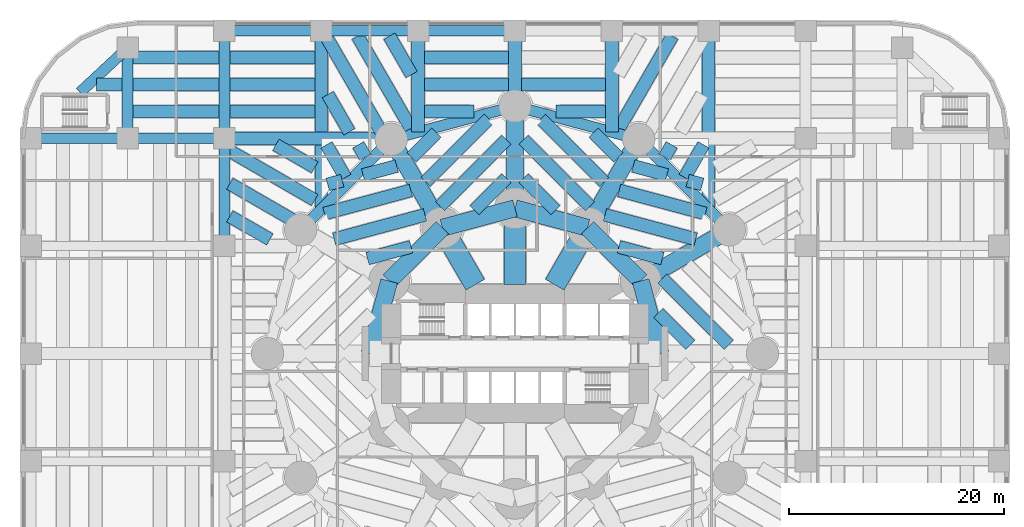
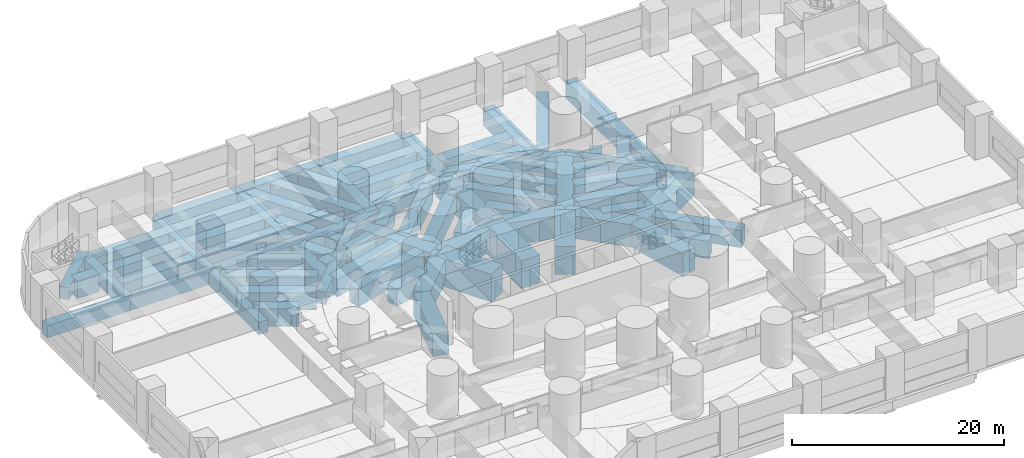
# One storey, part 3 of 17: 77 beams.
"""IFC4 building model written with IfcOpenShell, lengths in metres."""

from ifc_helpers import new_model, si_unit, direction, frame, origin, origin_2d, place, context, subcontext, project, spatial, rectangle, extrude, material, material_profile, profile_set, type_object, element, save


model = new_model("IFC4")

# Units and contexts
model_context = context("Model", 3, precision=1e-05, world=origin(), true_north=direction((0.0, 1.0)))
body_context = subcontext(model_context, "Body", "Model", "MODEL_VIEW")
ifc_project = project(units=[si_unit("LENGTHUNIT", "METRE"), si_unit("AREAUNIT", "SQUARE_METRE"), si_unit("VOLUMEUNIT", "CUBIC_METRE"), si_unit("PLANEANGLEUNIT", "RADIAN"), si_unit("MASSUNIT", "GRAM", prefix="KILO")], contexts=[model_context])

# Site, building, storey
site_placement = place(None, origin())
site = spatial("IfcSite", under=ifc_project, at=site_placement, CompositionType="ELEMENT")
building_placement = place(site_placement, origin())
building = spatial("IfcBuilding", under=site, at=building_placement, Name="Qaws Media Tower", CompositionType="ELEMENT")
storey_placement = place(building_placement, frame((0.0, 0.0, 15.0)))
storey = spatial("IfcBuildingStorey", under=building, at=storey_placement, Name="L02", CompositionType="ELEMENT", Elevation=15.0)

# Beams
ifc_material_1 = material(Name="Concrete C60/75", Category="concrete")
ifc_material_profile_1 = material_profile(ifc_material_1, rectangle(XDim=2.0, YDim=3.199951171875, at=origin_2d()), Name="RC 2000x3200")
ifc_profile_set_1 = profile_set([ifc_material_profile_1], Name="Concrete C60/75")
beam_type_1 = type_object("IfcBeamType", Name="Podium core beam RC 2000x3200", PredefinedType="BEAM", material=ifc_profile_set_1)
beam_1_placement = place(storey_placement, frame((63.695068359375, 56.39990234375, -1.89990234375), z_axis=(0.49998532359, 0.866033877048, 0.0), x_axis=(-0.866033877048, 0.49998532359, 0.0)))
element("IfcBeam", 1, at=beam_1_placement, inside=storey, type_object=beam_type_1, Name="PB14 beam CORE-I03", PredefinedType="BEAM", context=body_context, shape_type="SweptSolid", body=[
    extrude(rectangle(XDim=2.0, YDim=3.199951171875, at=origin_2d()), origin(), (0.0, 0.0, 1.0), 6.110107421875),
])
beam_2_placement = place(storey_placement, frame((60.0, 56.39990234375, -1.89990234375), z_axis=(0.0, 1.0, 0.0), x_axis=(-1.0, 0.0, 0.0)))
element("IfcBeam", 2, at=beam_2_placement, inside=storey, type_object=beam_type_1, Name="PB14 beam CORE-I04", PredefinedType="BEAM", context=body_context, shape_type="SweptSolid", body=[
    extrude(rectangle(XDim=2.0, YDim=3.199951171875, at=origin_2d()), origin(), (0.0, 0.0, 1.0), 7.10009765625),
])
beam_3_placement = place(storey_placement, frame((56.304931640625, 56.39990234375, -1.89990234375), z_axis=(-0.49998532359, 0.866033877048, 0.0), x_axis=(-0.866033877048, -0.49998532359, 0.0)))
element("IfcBeam", 3, at=beam_3_placement, inside=storey, type_object=beam_type_1, Name="PB14 beam CORE-I05", PredefinedType="BEAM", context=body_context, shape_type="SweptSolid", body=[
    extrude(rectangle(XDim=2.0, YDim=3.199951171875, at=origin_2d()), origin(), (0.0, 0.0, 1.0), 6.110107421875),
])
ifc_material_2 = material(Name="Concrete C60/75", Category="concrete")
ifc_material_profile_2 = material_profile(ifc_material_2, rectangle(XDim=1.0, YDim=1.39990234375, at=origin_2d()), Name="RC 1000x1400")
ifc_profile_set_2 = profile_set([ifc_material_profile_2], Name="Concrete C60/75")
beam_type_2 = type_object("IfcBeamType", Name="Podium edge beam RC 1000x1400", PredefinedType="BEAM", material=ifc_profile_set_2)
for number, where, z_axis, x_axis, name in (
    (4, (79.918701171875, 61.5, -1.0), (-0.707106781187, 0.707106781187, 0.0), (-0.707106781187, -0.707106781187, 0.0), "PB3 beam M02-M03"),
    (5, (71.5, 69.918701171875, -1.0), (-0.965928280645, 0.258809885148, 0.0), (-0.258809885148, -0.965928280645, 0.0), "PB3 beam M03-M04"),
    (6, (60.0, 73.0, -1.0), (-0.965928280645, -0.258809885148, 0.0), (0.258809885148, -0.965928280645, 0.0), "PB3 beam M04-M05"),
    (7, (48.5, 69.918701171875, -1.0), (-0.707106781187, -0.707106781187, 0.0), (0.707106781187, -0.707106781187, 0.0), "PB3 beam M05-M06"),
):
    element("IfcBeam", number, at=place(storey_placement, frame(where, z_axis=z_axis, x_axis=x_axis)), inside=storey, type_object=beam_type_2, Name=name, PredefinedType="BEAM", context=body_context, shape_type="SweptSolid", body=[
        extrude(rectangle(XDim=1.0, YDim=1.39990234375, at=origin_2d()), origin(), (0.0, 0.0, 1.0), 11.90576171875),
    ])
ifc_material_3 = material(Name="Concrete C60/75", Category="concrete")
ifc_material_profile_3 = material_profile(ifc_material_3, rectangle(XDim=1.0, YDim=1.39990234375, at=origin_2d()), Name="RC 1000x1400")
ifc_profile_set_3 = profile_set([ifc_material_profile_3], Name="Concrete C60/75")
beam_type_3 = type_object("IfcBeamType", Name="Podium girder RC 1000x1400", PredefinedType="BEAM", material=ifc_profile_set_3)
for number, where, z_axis, x_axis, name in (
    (8, (15.0, 70.0, -1.0), (1.0, 0.0, 0.0), (0.0, 1.0, 0.0), "PB5 beam 1-2/F"),
    (9, (24.0, 70.0, -1.0), (1.0, 0.0, 0.0), (0.0, 1.0, 0.0), "PB5 beam 2-3/F"),
    (10, (33.0, 80.0, -1.0), (1.0, 0.0, 0.0), (0.0, 1.0, 0.0), "PB5 beam 3-4/G"),
    (11, (42.0, 80.0, -1.0), (1.0, 0.0, 0.0), (0.0, 1.0, 0.0), "PB5 beam 4-5/G"),
    (12, (51.0, 80.0, -1.0), (1.0, 0.0, 0.0), (0.0, 1.0, 0.0), "PB5 beam 5-6/G"),
):
    element("IfcBeam", number, at=place(storey_placement, frame(where, z_axis=z_axis, x_axis=x_axis)), inside=storey, type_object=beam_type_3, Name=name, PredefinedType="BEAM", context=body_context, shape_type="SweptSolid", body=[
        extrude(rectangle(XDim=1.0, YDim=1.39990234375, at=origin_2d()), origin(), (0.0, 0.0, 1.0), 9.0),
    ])
beam_4_placement = place(storey_placement, frame((24.0, 70.0, -1.0), z_axis=(0.0, 1.0, 0.0), x_axis=(-1.0, 0.0, 0.0)))
element("IfcBeam", 13, at=beam_4_placement, inside=storey, type_object=beam_type_3, Name="PB5 beam 2/F-G", PredefinedType="BEAM", context=body_context, shape_type="SweptSolid", body=[
    extrude(rectangle(XDim=1.0, YDim=1.39990234375, at=origin_2d()), origin(), (0.0, 0.0, 1.0), 8.39990234375),
])
for number, where, z_axis, x_axis, name in (
    (14, (33.0, 60.0, -1.0), (0.0, 1.0, 0.0), (-1.0, 0.0, 0.0), "PB5 beam 3/E-F"),
    (15, (33.0, 70.0, -1.0), (0.0, 1.0, 0.0), (-1.0, 0.0, 0.0), "PB5 beam 3/F-G"),
):
    element("IfcBeam", number, at=place(storey_placement, frame(where, z_axis=z_axis, x_axis=x_axis)), inside=storey, type_object=beam_type_3, Name=name, PredefinedType="BEAM", context=body_context, shape_type="SweptSolid", body=[
        extrude(rectangle(XDim=1.0, YDim=1.39990234375, at=origin_2d()), origin(), (0.0, 0.0, 1.0), 10.0),
    ])
beam_5_placement = place(storey_placement, frame((19.5732421875, 74.268310546875, -1.0), z_axis=(0.731059290527, 0.682313940745, 0.0), x_axis=(-0.682313940745, 0.731059290527, 0.0)))
element("IfcBeam", 16, at=beam_5_placement, inside=storey, type_object=beam_type_3, Name="PB5 beam S3-2/G", PredefinedType="BEAM", context=body_context, shape_type="SweptSolid", body=[
    extrude(rectangle(XDim=1.0, YDim=1.39990234375, at=origin_2d()), origin(), (0.0, 0.0, 1.0), 6.05517578125),
])
ifc_material_4 = material(Name="Concrete C60/75", Category="concrete")
ifc_material_profile_4 = material_profile(ifc_material_4, rectangle(XDim=1.199951171875, YDim=2.0, at=origin_2d()), Name="RC 1200x2000")
ifc_profile_set_4 = profile_set([ifc_material_profile_4], Name="Concrete C60/75")
beam_type_4 = type_object("IfcBeamType", Name="Podium long trimmer beam RC 1200x2000", PredefinedType="BEAM", material=ifc_profile_set_4)
beam_6_placement = place(storey_placement, frame((33.0, 70.0, -1.300048828125), z_axis=(1.0, 0.0, 0.0), x_axis=(0.0, 1.0, 0.0)))
element("IfcBeam", 17, at=beam_6_placement, inside=storey, type_object=beam_type_4, Name="PB11 beam 3/F to the tower ring", PredefinedType="BEAM", context=body_context, shape_type="SweptSolid", body=[
    extrude(rectangle(XDim=1.199951171875, YDim=2.0, at=origin_2d()), origin(), (0.0, 0.0, 1.0), 15.803955078125),
])
for number, where, z_axis, x_axis, name in (
    (18, (42.0, 80.0, -1.300048828125), (0.0, -1.0, 0.0), (1.0, 0.0, 0.0), "PB11 beam 4/G to the tower ring"),
    (19, (78.0, 80.0, -1.300048828125), (0.0, -1.0, 0.0), (1.0, 0.0, 0.0), "PB11 beam 8/G to the tower ring"),
):
    element("IfcBeam", number, at=place(storey_placement, frame(where, z_axis=z_axis, x_axis=x_axis)), inside=storey, type_object=beam_type_4, Name=name, PredefinedType="BEAM", context=body_context, shape_type="SweptSolid", body=[
        extrude(rectangle(XDim=1.199951171875, YDim=2.0, at=origin_2d()), origin(), (0.0, 0.0, 1.0), 16.581298828125),
    ])
ifc_material_5 = material(Name="Concrete C60/75", Category="concrete")
ifc_material_profile_5 = material_profile(ifc_material_5, rectangle(XDim=1.199951171875, YDim=2.0, at=origin_2d()), Name="RC 1200x2000")
ifc_profile_set_5 = profile_set([ifc_material_profile_5], Name="Concrete C60/75")
beam_type_5 = type_object("IfcBeamType", Name="Podium secondary beam RC 1200x2000", PredefinedType="BEAM", material=ifc_profile_set_5)
beam_7_placement = place(storey_placement, frame((21.08984375, 75.0, -1.300048828125), z_axis=(1.0, 0.0, 0.0), x_axis=(0.0, 1.0, 0.0)))
element("IfcBeam", 20, at=beam_7_placement, inside=storey, type_object=beam_type_5, Name="PB7 beam bay 1F line 1", PredefinedType="BEAM", context=body_context, shape_type="SweptSolid", body=[
    extrude(rectangle(XDim=1.199951171875, YDim=2.0, at=origin_2d()), origin(), (0.0, 0.0, 1.0), 2.41015625),
])
for number, where, z_axis, x_axis, name in (
    (21, (24.5, 72.5, -1.300048828125), (1.0, 0.0, 0.0), (0.0, 1.0, 0.0), "PB7 beam bay 2F line 1"),
    (22, (24.5, 75.0, -1.300048828125), (1.0, 0.0, 0.0), (0.0, 1.0, 0.0), "PB7 beam bay 2F line 2"),
    (23, (24.5, 77.5, -1.300048828125), (1.0, 0.0, 0.0), (0.0, 1.0, 0.0), "PB7 beam bay 2F line 3"),
):
    element("IfcBeam", number, at=place(storey_placement, frame(where, z_axis=z_axis, x_axis=x_axis)), inside=storey, type_object=beam_type_5, Name=name, PredefinedType="BEAM", context=body_context, shape_type="SweptSolid", body=[
        extrude(rectangle(XDim=1.199951171875, YDim=2.0, at=origin_2d()), origin(), (0.0, 0.0, 1.0), 8.0),
    ])
beam_8_placement = place(storey_placement, frame((41.39990234375, 67.30712890625, -1.300048828125), z_axis=(-0.866023369196, 0.500003523994, 0.0), x_axis=(-0.500003523994, -0.866023369196, 0.0)))
element("IfcBeam", 24, at=beam_8_placement, inside=storey, type_object=beam_type_5, Name="PB7 beam bay 3E line 1", PredefinedType="BEAM", context=body_context, shape_type="SweptSolid", body=[
    extrude(rectangle(XDim=1.199951171875, YDim=2.0, at=origin_2d()), origin(), (0.0, 0.0, 1.0), 4.185546875),
])
beam_9_placement = place(storey_placement, frame((41.39990234375, 64.26806640625, -1.300048828125), z_axis=(-0.866024244995, 0.500002007077, 0.0), x_axis=(-0.500002007077, -0.866024244995, 0.0)))
element("IfcBeam", 25, at=beam_9_placement, inside=storey, type_object=beam_type_5, Name="PB7 beam bay 3E line 2", PredefinedType="BEAM", context=body_context, shape_type="SweptSolid", body=[
    extrude(rectangle(XDim=1.199951171875, YDim=2.0, at=origin_2d()), origin(), (0.0, 0.0, 1.0), 9.1220703125),
])
beam_10_placement = place(storey_placement, frame((39.94384765625, 62.069580078125, -1.300048828125), z_axis=(-0.866033686948, 0.499985652865, 0.0), x_axis=(-0.499985652865, -0.866033686948, 0.0)))
element("IfcBeam", 26, at=beam_10_placement, inside=storey, type_object=beam_type_5, Name="PB7 beam bay 3E line 3", PredefinedType="BEAM", context=body_context, shape_type="SweptSolid", body=[
    extrude(rectangle(XDim=1.199951171875, YDim=2.0, at=origin_2d()), origin(), (0.0, 0.0, 1.0), 7.440673828125),
])
beam_11_placement = place(storey_placement, frame((37.224853515625, 60.60009765625, -1.300048828125), z_axis=(-0.866040963478, 0.499973048851, 0.0), x_axis=(-0.499973048851, -0.866040963478, 0.0)))
element("IfcBeam", 27, at=beam_11_placement, inside=storey, type_object=beam_type_5, Name="PB7 beam bay 3E line 4", PredefinedType="BEAM", context=body_context, shape_type="SweptSolid", body=[
    extrude(rectangle(XDim=1.199951171875, YDim=2.0, at=origin_2d()), origin(), (0.0, 0.0, 1.0), 4.301025390625),
])
for number, where, z_axis, x_axis, name in (
    (28, (33.5, 72.5, -1.300048828125), (1.0, 0.0, 0.0), (0.0, 1.0, 0.0), "PB7 beam bay 3F line 1"),
    (29, (33.5, 75.0, -1.300048828125), (1.0, 0.0, 0.0), (0.0, 1.0, 0.0), "PB7 beam bay 3F line 2"),
    (30, (33.5, 77.5, -1.300048828125), (1.0, 0.0, 0.0), (0.0, 1.0, 0.0), "PB7 beam bay 3F line 3"),
):
    element("IfcBeam", number, at=place(storey_placement, frame(where, z_axis=z_axis, x_axis=x_axis)), inside=storey, type_object=beam_type_5, Name=name, PredefinedType="BEAM", context=body_context, shape_type="SweptSolid", body=[
        extrude(rectangle(XDim=1.199951171875, YDim=2.0, at=origin_2d()), origin(), (0.0, 0.0, 1.0), 7.89990234375),
    ])
beam_12_placement = place(storey_placement, frame((46.109619140625, 68.235107421875, -1.300048828125), z_axis=(-0.500062873969, 0.865989100438, 0.0), x_axis=(-0.865989100438, -0.500062873969, 0.0)))
element("IfcBeam", 31, at=beam_12_placement, inside=storey, type_object=beam_type_5, Name="PB7 beam bay 4E line 1", PredefinedType="BEAM", context=body_context, shape_type="SweptSolid", body=[
    extrude(rectangle(XDim=1.199951171875, YDim=2.0, at=origin_2d()), origin(), (0.0, 0.0, 1.0), 1.344970703125),
])
beam_13_placement = place(storey_placement, frame((44.236328125, 66.362060546875, -1.300048828125), z_axis=(-0.500001597329, 0.866024481564, 0.0), x_axis=(-0.866024481564, -0.500001597329, 0.0)))
element("IfcBeam", 32, at=beam_13_placement, inside=storey, type_object=beam_type_5, Name="PB7 beam bay 4E line 2", PredefinedType="BEAM", context=body_context, shape_type="SweptSolid", body=[
    extrude(rectangle(XDim=1.199951171875, YDim=2.0, at=origin_2d()), origin(), (0.0, 0.0, 1.0), 3.5078125),
])
beam_14_placement = place(storey_placement, frame((50.39990234375, 75.921630859375, -1.300048828125), z_axis=(-0.499990122378, 0.866031106557, 0.0), x_axis=(-0.866031106557, -0.499990122378, 0.0)))
element("IfcBeam", 33, at=beam_14_placement, inside=storey, type_object=beam_type_5, Name="PB7 beam bay 4F line 1", PredefinedType="BEAM", context=body_context, shape_type="SweptSolid", body=[
    extrude(rectangle(XDim=1.199951171875, YDim=2.0, at=origin_2d()), origin(), (0.0, 0.0, 1.0), 4.1318359375),
])
beam_15_placement = place(storey_placement, frame((50.329345703125, 70.92626953125, -1.300048828125), z_axis=(-0.499992846816, 0.866029533637, 0.0), x_axis=(-0.866029533637, -0.499992846816, 0.0)))
element("IfcBeam", 34, at=beam_15_placement, inside=storey, type_object=beam_type_5, Name="PB7 beam bay 4F line 2", PredefinedType="BEAM", context=body_context, shape_type="SweptSolid", body=[
    extrude(rectangle(XDim=1.199951171875, YDim=2.0, at=origin_2d()), origin(), (0.0, 0.0, 1.0), 9.900146484375),
])
beam_16_placement = place(storey_placement, frame((47.56298828125, 70.60009765625, -1.300048828125), z_axis=(-0.500004869266, 0.866022592494, 0.0), x_axis=(-0.866022592494, -0.500004869266, 0.0)))
element("IfcBeam", 35, at=beam_16_placement, inside=storey, type_object=beam_type_5, Name="PB7 beam bay 4F line 3", PredefinedType="BEAM", context=body_context, shape_type="SweptSolid", body=[
    extrude(rectangle(XDim=1.199951171875, YDim=2.0, at=origin_2d()), origin(), (0.0, 0.0, 1.0), 10.27685546875),
])
beam_17_placement = place(storey_placement, frame((44.6083984375, 70.60009765625, -1.300048828125), z_axis=(-0.500022371132, 0.86601248742, 0.0), x_axis=(-0.86601248742, -0.500022371132, 0.0)))
element("IfcBeam", 36, at=beam_17_placement, inside=storey, type_object=beam_type_5, Name="PB7 beam bay 4F line 4", PredefinedType="BEAM", context=body_context, shape_type="SweptSolid", body=[
    extrude(rectangle(XDim=1.199951171875, YDim=2.0, at=origin_2d()), origin(), (0.0, 0.0, 1.0), 4.016357421875),
])
beam_18_placement = place(storey_placement, frame((51.60009765625, 72.5, -1.300048828125), z_axis=(1.0, 0.0, 0.0), x_axis=(0.0, 1.0, 0.0)))
element("IfcBeam", 37, at=beam_18_placement, inside=storey, type_object=beam_type_5, Name="PB7 beam bay 5F line 1", PredefinedType="BEAM", context=body_context, shape_type="SweptSolid", body=[
    extrude(rectangle(XDim=1.199951171875, YDim=2.0, at=origin_2d()), origin(), (0.0, 0.0, 1.0), 4.60205078125),
])
for number, where, z_axis, x_axis, name in (
    (38, (51.60009765625, 75.0, -1.300048828125), (1.0, 0.0, 0.0), (0.0, 1.0, 0.0), "PB7 beam bay 5F line 2"),
    (39, (51.60009765625, 77.5, -1.300048828125), (1.0, 0.0, 0.0), (0.0, 1.0, 0.0), "PB7 beam bay 5F line 3"),
):
    element("IfcBeam", number, at=place(storey_placement, frame(where, z_axis=z_axis, x_axis=x_axis)), inside=storey, type_object=beam_type_5, Name=name, PredefinedType="BEAM", context=body_context, shape_type="SweptSolid", body=[
        extrude(rectangle(XDim=1.199951171875, YDim=2.0, at=origin_2d()), origin(), (0.0, 0.0, 1.0), 7.7998046875),
    ])
beam_19_placement = place(storey_placement, frame((63.7978515625, 72.5, -1.300048828125), z_axis=(1.0, 0.0, 0.0), x_axis=(0.0, 1.0, 0.0)))
element("IfcBeam", 40, at=beam_19_placement, inside=storey, type_object=beam_type_5, Name="PB7 beam bay 6F line 1", PredefinedType="BEAM", context=body_context, shape_type="SweptSolid", body=[
    extrude(rectangle(XDim=1.199951171875, YDim=2.0, at=origin_2d()), origin(), (0.0, 0.0, 1.0), 4.60205078125),
])
beam_20_placement = place(storey_placement, frame((60.60009765625, 75.0, -1.300048828125), z_axis=(1.0, 0.0, 0.0), x_axis=(0.0, 1.0, 0.0)))
element("IfcBeam", 41, at=beam_20_placement, inside=storey, type_object=beam_type_5, Name="PB7 beam bay 6F line 2", PredefinedType="BEAM", context=body_context, shape_type="SweptSolid", body=[
    extrude(rectangle(XDim=1.199951171875, YDim=2.0, at=origin_2d()), origin(), (0.0, 0.0, 1.0), 7.7998046875),
])
beam_21_placement = place(storey_placement, frame((75.763671875, 66.362060546875, -1.300048828125), z_axis=(0.500001597329, 0.866024481564, 0.0), x_axis=(-0.866024481564, 0.500001597329, 0.0)))
element("IfcBeam", 42, at=beam_21_placement, inside=storey, type_object=beam_type_5, Name="PB7 beam bay 7E line 1", PredefinedType="BEAM", context=body_context, shape_type="SweptSolid", body=[
    extrude(rectangle(XDim=1.199951171875, YDim=2.0, at=origin_2d()), origin(), (0.0, 0.0, 1.0), 3.5078125),
])
beam_22_placement = place(storey_placement, frame((73.890380859375, 68.235107421875, -1.300048828125), z_axis=(0.500062873969, 0.865989100438, 0.0), x_axis=(-0.865989100438, 0.500062873969, 0.0)))
element("IfcBeam", 43, at=beam_22_placement, inside=storey, type_object=beam_type_5, Name="PB7 beam bay 7E line 2", PredefinedType="BEAM", context=body_context, shape_type="SweptSolid", body=[
    extrude(rectangle(XDim=1.199951171875, YDim=2.0, at=origin_2d()), origin(), (0.0, 0.0, 1.0), 1.344970703125),
])
beam_23_placement = place(storey_placement, frame((69.670654296875, 70.92626953125, -1.300048828125), z_axis=(0.499992846816, 0.866029533637, 0.0), x_axis=(-0.866029533637, 0.499992846816, 0.0)))
element("IfcBeam", 44, at=beam_23_placement, inside=storey, type_object=beam_type_5, Name="PB7 beam bay 7F line 3", PredefinedType="BEAM", context=body_context, shape_type="SweptSolid", body=[
    extrude(rectangle(XDim=1.199951171875, YDim=2.0, at=origin_2d()), origin(), (0.0, 0.0, 1.0), 9.900146484375),
])
beam_24_placement = place(storey_placement, frame((79.867431640625, 50.800048828125, -1.300048828125), z_axis=(-0.707106781187, 0.707106781187, 0.0), x_axis=(-0.707106781187, -0.707106781187, 0.0)))
element("IfcBeam", 45, at=beam_24_placement, inside=storey, type_object=beam_type_5, Name="PB7 beam bay T01 line 3", PredefinedType="BEAM", context=body_context, shape_type="SweptSolid", body=[
    extrude(rectangle(XDim=1.199951171875, YDim=2.0, at=origin_2d()), origin(), (0.0, 0.0, 1.0), 8.73876953125),
])
beam_25_placement = place(storey_placement, frame((76.28369140625, 50.800048828125, -1.300048828125), z_axis=(-0.707106781187, 0.707106781187, 0.0), x_axis=(-0.707106781187, -0.707106781187, 0.0)))
element("IfcBeam", 46, at=beam_25_placement, inside=storey, type_object=beam_type_5, Name="PB7 beam bay T01 line 4", PredefinedType="BEAM", context=body_context, shape_type="SweptSolid", body=[
    extrude(rectangle(XDim=1.199951171875, YDim=2.0, at=origin_2d()), origin(), (0.0, 0.0, 1.0), 4.19189453125),
])
beam_26_placement = place(storey_placement, frame((77.39990234375, 65.714111328125, -1.300048828125), z_axis=(-0.965927004363, 0.25881464843, 0.0), x_axis=(-0.25881464843, -0.965927004363, 0.0)))
element("IfcBeam", 47, at=beam_26_placement, inside=storey, type_object=beam_type_5, Name="PB7 beam bay T02 line 1", PredefinedType="BEAM", context=body_context, shape_type="SweptSolid", body=[
    extrude(rectangle(XDim=1.199951171875, YDim=2.0, at=origin_2d()), origin(), (0.0, 0.0, 1.0), 1.39794921875),
])
beam_27_placement = place(storey_placement, frame((74.11767578125, 66.59375, -1.300048828125), z_axis=(-0.965936615722, 0.258778775034, 0.0), x_axis=(-0.258778775034, -0.965936615722, 0.0)))
element("IfcBeam", 48, at=beam_27_placement, inside=storey, type_object=beam_type_5, Name="PB7 beam bay T02 line 2", PredefinedType="BEAM", context=body_context, shape_type="SweptSolid", body=[
    extrude(rectangle(XDim=1.199951171875, YDim=2.0, at=origin_2d()), origin(), (0.0, 0.0, 1.0), 3.23974609375),
])
beam_28_placement = place(storey_placement, frame((77.701416015625, 63.010009765625, -1.300048828125), z_axis=(-0.965929425695, 0.258805611564, 0.0), x_axis=(-0.258805611564, -0.965929425695, 0.0)))
element("IfcBeam", 49, at=beam_28_placement, inside=storey, type_object=beam_type_5, Name="PB7 beam bay T02 line 3", PredefinedType="BEAM", context=body_context, shape_type="SweptSolid", body=[
    extrude(rectangle(XDim=1.199951171875, YDim=2.0, at=origin_2d()), origin(), (0.0, 0.0, 1.0), 8.307861328125),
])
beam_29_placement = place(storey_placement, frame((76.8056640625, 60.62646484375, -1.300048828125), z_axis=(-0.965926352771, 0.258817080236, 0.0), x_axis=(-0.258817080236, -0.965926352771, 0.0)))
element("IfcBeam", 50, at=beam_29_placement, inside=storey, type_object=beam_type_5, Name="PB7 beam bay T02 line 4", PredefinedType="BEAM", context=body_context, shape_type="SweptSolid", body=[
    extrude(rectangle(XDim=1.199951171875, YDim=2.0, at=origin_2d()), origin(), (0.0, 0.0, 1.0), 8.73876953125),
])
beam_30_placement = place(storey_placement, frame((73.7021484375, 58.834716796875, -1.300048828125), z_axis=(-0.96592491418, 0.258822449118, 0.0), x_axis=(-0.258822449118, -0.96592491418, 0.0)))
element("IfcBeam", 51, at=beam_30_placement, inside=storey, type_object=beam_type_5, Name="PB7 beam bay T02 line 5", PredefinedType="BEAM", context=body_context, shape_type="SweptSolid", body=[
    extrude(rectangle(XDim=1.199951171875, YDim=2.0, at=origin_2d()), origin(), (0.0, 0.0, 1.0), 4.19189453125),
])
beam_31_placement = place(storey_placement, frame((69.6025390625, 68.232177734375, -1.300048828125), z_axis=(-0.707069101983, 0.707144458383, 0.0), x_axis=(-0.707144458383, -0.707069101983, 0.0)))
element("IfcBeam", 52, at=beam_31_placement, inside=storey, type_object=beam_type_5, Name="PB7 beam bay T03 line 1", PredefinedType="BEAM", context=body_context, shape_type="SweptSolid", body=[
    extrude(rectangle(XDim=1.199951171875, YDim=2.0, at=origin_2d()), origin(), (0.0, 0.0, 1.0), 3.23974609375),
])
beam_32_placement = place(storey_placement, frame((68.291015625, 65.960205078125, -1.300048828125), z_axis=(-0.707106781187, 0.707106781187, 0.0), x_axis=(-0.707106781187, -0.707106781187, 0.0)))
element("IfcBeam", 53, at=beam_32_placement, inside=storey, type_object=beam_type_5, Name="PB7 beam bay T03 line 2", PredefinedType="BEAM", context=body_context, shape_type="SweptSolid", body=[
    extrude(rectangle(XDim=1.199951171875, YDim=2.0, at=origin_2d()), origin(), (0.0, 0.0, 1.0), 8.30810546875),
])
beam_33_placement = place(storey_placement, frame((66.979248046875, 63.688232421875, -1.300048828125), z_axis=(-0.707106781187, 0.707106781187, 0.0), x_axis=(-0.707106781187, -0.707106781187, 0.0)))
element("IfcBeam", 54, at=beam_33_placement, inside=storey, type_object=beam_type_5, Name="PB7 beam bay T03 line 3", PredefinedType="BEAM", context=body_context, shape_type="SweptSolid", body=[
    extrude(rectangle(XDim=1.199951171875, YDim=2.0, at=origin_2d()), origin(), (0.0, 0.0, 1.0), 8.73876953125),
])
for number, where, z_axis, x_axis, name in (
    (55, (63.76416015625, 63.319580078125, -1.300048828125), (-0.707106781187, 0.707106781187, 0.0), (-0.707106781187, -0.707106781187, 0.0), "PB7 beam bay T03 line 4"),
    (56, (56.23583984375, 63.319580078125, -1.300048828125), (0.707106781187, 0.707106781187, 0.0), (-0.707106781187, 0.707106781187, 0.0), "PB7 beam bay T04 line 1"),
):
    element("IfcBeam", number, at=place(storey_placement, frame(where, z_axis=z_axis, x_axis=x_axis)), inside=storey, type_object=beam_type_5, Name=name, PredefinedType="BEAM", context=body_context, shape_type="SweptSolid", body=[
        extrude(rectangle(XDim=1.199951171875, YDim=2.0, at=origin_2d()), origin(), (0.0, 0.0, 1.0), 4.19189453125),
    ])
beam_34_placement = place(storey_placement, frame((53.020751953125, 63.688232421875, -1.300048828125), z_axis=(0.707106781187, 0.707106781187, 0.0), x_axis=(-0.707106781187, 0.707106781187, 0.0)))
element("IfcBeam", 57, at=beam_34_placement, inside=storey, type_object=beam_type_5, Name="PB7 beam bay T04 line 2", PredefinedType="BEAM", context=body_context, shape_type="SweptSolid", body=[
    extrude(rectangle(XDim=1.199951171875, YDim=2.0, at=origin_2d()), origin(), (0.0, 0.0, 1.0), 8.73876953125),
])
beam_35_placement = place(storey_placement, frame((51.708984375, 65.960205078125, -1.300048828125), z_axis=(0.707106781187, 0.707106781187, 0.0), x_axis=(-0.707106781187, 0.707106781187, 0.0)))
element("IfcBeam", 58, at=beam_35_placement, inside=storey, type_object=beam_type_5, Name="PB7 beam bay T04 line 3", PredefinedType="BEAM", context=body_context, shape_type="SweptSolid", body=[
    extrude(rectangle(XDim=1.199951171875, YDim=2.0, at=origin_2d()), origin(), (0.0, 0.0, 1.0), 8.30810546875),
])
beam_36_placement = place(storey_placement, frame((50.3974609375, 68.232177734375, -1.300048828125), z_axis=(0.707069101983, 0.707144458383, 0.0), x_axis=(-0.707144458383, 0.707069101983, 0.0)))
element("IfcBeam", 59, at=beam_36_placement, inside=storey, type_object=beam_type_5, Name="PB7 beam bay T04 line 4", PredefinedType="BEAM", context=body_context, shape_type="SweptSolid", body=[
    extrude(rectangle(XDim=1.199951171875, YDim=2.0, at=origin_2d()), origin(), (0.0, 0.0, 1.0), 3.23974609375),
])
beam_37_placement = place(storey_placement, frame((46.2978515625, 58.834716796875, -1.300048828125), z_axis=(0.96592491418, 0.258822449118, 0.0), x_axis=(-0.258822449118, 0.96592491418, 0.0)))
element("IfcBeam", 60, at=beam_37_placement, inside=storey, type_object=beam_type_5, Name="PB7 beam bay T05 line 1", PredefinedType="BEAM", context=body_context, shape_type="SweptSolid", body=[
    extrude(rectangle(XDim=1.199951171875, YDim=2.0, at=origin_2d()), origin(), (0.0, 0.0, 1.0), 4.19189453125),
])
beam_38_placement = place(storey_placement, frame((43.1943359375, 60.62646484375, -1.300048828125), z_axis=(0.965926352771, 0.258817080236, 0.0), x_axis=(-0.258817080236, 0.965926352771, 0.0)))
element("IfcBeam", 61, at=beam_38_placement, inside=storey, type_object=beam_type_5, Name="PB7 beam bay T05 line 2", PredefinedType="BEAM", context=body_context, shape_type="SweptSolid", body=[
    extrude(rectangle(XDim=1.199951171875, YDim=2.0, at=origin_2d()), origin(), (0.0, 0.0, 1.0), 8.73876953125),
])
beam_39_placement = place(storey_placement, frame((42.298583984375, 63.010009765625, -1.300048828125), z_axis=(0.965929425695, 0.258805611564, 0.0), x_axis=(-0.258805611564, 0.965929425695, 0.0)))
element("IfcBeam", 62, at=beam_39_placement, inside=storey, type_object=beam_type_5, Name="PB7 beam bay T05 line 3", PredefinedType="BEAM", context=body_context, shape_type="SweptSolid", body=[
    extrude(rectangle(XDim=1.199951171875, YDim=2.0, at=origin_2d()), origin(), (0.0, 0.0, 1.0), 8.307861328125),
])
beam_40_placement = place(storey_placement, frame((42.60009765625, 65.714111328125, -1.300048828125), z_axis=(0.965927004363, 0.25881464843, 0.0), x_axis=(-0.25881464843, 0.965927004363, 0.0)))
element("IfcBeam", 63, at=beam_40_placement, inside=storey, type_object=beam_type_5, Name="PB7 beam bay T05 line 4", PredefinedType="BEAM", context=body_context, shape_type="SweptSolid", body=[
    extrude(rectangle(XDim=1.199951171875, YDim=2.0, at=origin_2d()), origin(), (0.0, 0.0, 1.0), 1.39794921875),
])
beam_41_placement = place(storey_placement, frame((45.88232421875, 66.59375, -1.300048828125), z_axis=(0.965936615722, 0.258778775034, 0.0), x_axis=(-0.258778775034, 0.965936615722, 0.0)))
element("IfcBeam", 64, at=beam_41_placement, inside=storey, type_object=beam_type_5, Name="PB7 beam bay T05 line 5", PredefinedType="BEAM", context=body_context, shape_type="SweptSolid", body=[
    extrude(rectangle(XDim=1.199951171875, YDim=2.0, at=origin_2d()), origin(), (0.0, 0.0, 1.0), 3.23974609375),
])
ifc_material_6 = material(Name="Concrete C60/75", Category="concrete")
ifc_material_profile_6 = material_profile(ifc_material_6, rectangle(XDim=1.60009765625, YDim=2.60009765625, at=origin_2d()), Name="RC 1600x2600")
ifc_profile_set_6 = profile_set([ifc_material_profile_6], Name="Concrete C60/75")
beam_type_6 = type_object("IfcBeamType", Name="Podium tower beam RC 1600x2600", PredefinedType="BEAM", material=ifc_profile_set_6)
beam_42_placement = place(storey_placement, frame((73.5, 50.0, -1.60009765625), z_axis=(-0.258810593767, 0.965928090778, 0.0), x_axis=(-0.965928090778, -0.258810593767, 0.0)))
element("IfcBeam", 65, at=beam_42_placement, inside=storey, type_object=beam_type_6, Name="PB9 beam I01-I02", PredefinedType="BEAM", context=body_context, shape_type="SweptSolid", body=[
    extrude(rectangle(XDim=1.60009765625, YDim=2.60009765625, at=origin_2d()), origin(), (0.0, 0.0, 1.0), 6.988037109375),
])
beam_43_placement = place(storey_placement, frame((71.69140625, 56.75, -1.60009765625), z_axis=(0.86602681393, 0.499997557548, 0.0), x_axis=(-0.499997557548, 0.86602681393, 0.0)))
element("IfcBeam", 66, at=beam_43_placement, inside=storey, type_object=beam_type_6, Name="PB9 beam I02-M02", PredefinedType="BEAM", context=body_context, shape_type="SweptSolid", body=[
    extrude(rectangle(XDim=1.60009765625, YDim=2.60009765625, at=origin_2d()), origin(), (0.0, 0.0, 1.0), 9.5),
])
beam_44_placement = place(storey_placement, frame((71.69140625, 56.75, -1.60009765625), z_axis=(-0.707106781187, 0.707106781187, 0.0), x_axis=(-0.707106781187, -0.707106781187, 0.0)))
element("IfcBeam", 67, at=beam_44_placement, inside=storey, type_object=beam_type_6, Name="PB9 beam I02-I03", PredefinedType="BEAM", context=body_context, shape_type="SweptSolid", body=[
    extrude(rectangle(XDim=1.60009765625, YDim=2.60009765625, at=origin_2d()), origin(), (0.0, 0.0, 1.0), 6.98828125),
])
beam_45_placement = place(storey_placement, frame((66.75, 61.69140625, -1.60009765625), z_axis=(0.499997557548, 0.86602681393, 0.0), x_axis=(-0.86602681393, 0.499997557548, 0.0)))
element("IfcBeam", 68, at=beam_45_placement, inside=storey, type_object=beam_type_6, Name="PB9 beam I03-M03", PredefinedType="BEAM", context=body_context, shape_type="SweptSolid", body=[
    extrude(rectangle(XDim=1.60009765625, YDim=2.60009765625, at=origin_2d()), origin(), (0.0, 0.0, 1.0), 9.5),
])
beam_46_placement = place(storey_placement, frame((66.75, 61.69140625, -1.60009765625), z_axis=(-0.965928090778, 0.258810593767, 0.0), x_axis=(-0.258810593767, -0.965928090778, 0.0)))
element("IfcBeam", 69, at=beam_46_placement, inside=storey, type_object=beam_type_6, Name="PB9 beam I03-I04", PredefinedType="BEAM", context=body_context, shape_type="SweptSolid", body=[
    extrude(rectangle(XDim=1.60009765625, YDim=2.60009765625, at=origin_2d()), origin(), (0.0, 0.0, 1.0), 6.988037109375),
])
beam_47_placement = place(storey_placement, frame((60.0, 63.5, -1.60009765625), z_axis=(0.0, 1.0, 0.0), x_axis=(-1.0, 0.0, 0.0)))
element("IfcBeam", 70, at=beam_47_placement, inside=storey, type_object=beam_type_6, Name="PB9 beam I04-M04", PredefinedType="BEAM", context=body_context, shape_type="SweptSolid", body=[
    extrude(rectangle(XDim=1.60009765625, YDim=2.60009765625, at=origin_2d()), origin(), (0.0, 0.0, 1.0), 9.5),
])
beam_48_placement = place(storey_placement, frame((60.0, 63.5, -1.60009765625), z_axis=(-0.965928090778, -0.258810593767, 0.0), x_axis=(0.258810593767, -0.965928090778, 0.0)))
element("IfcBeam", 71, at=beam_48_placement, inside=storey, type_object=beam_type_6, Name="PB9 beam I04-I05", PredefinedType="BEAM", context=body_context, shape_type="SweptSolid", body=[
    extrude(rectangle(XDim=1.60009765625, YDim=2.60009765625, at=origin_2d()), origin(), (0.0, 0.0, 1.0), 6.988037109375),
])
beam_49_placement = place(storey_placement, frame((53.25, 61.69140625, -1.60009765625), z_axis=(-0.499997557548, 0.86602681393, 0.0), x_axis=(-0.86602681393, -0.499997557548, 0.0)))
element("IfcBeam", 72, at=beam_49_placement, inside=storey, type_object=beam_type_6, Name="PB9 beam I05-M05", PredefinedType="BEAM", context=body_context, shape_type="SweptSolid", body=[
    extrude(rectangle(XDim=1.60009765625, YDim=2.60009765625, at=origin_2d()), origin(), (0.0, 0.0, 1.0), 9.5),
])
beam_50_placement = place(storey_placement, frame((53.25, 61.69140625, -1.60009765625), z_axis=(-0.707106781187, -0.707106781187, 0.0), x_axis=(0.707106781187, -0.707106781187, 0.0)))
element("IfcBeam", 73, at=beam_50_placement, inside=storey, type_object=beam_type_6, Name="PB9 beam I05-I06", PredefinedType="BEAM", context=body_context, shape_type="SweptSolid", body=[
    extrude(rectangle(XDim=1.60009765625, YDim=2.60009765625, at=origin_2d()), origin(), (0.0, 0.0, 1.0), 6.98828125),
])
beam_51_placement = place(storey_placement, frame((48.30859375, 56.75, -1.60009765625), z_axis=(-0.258810593767, -0.965928090778, 0.0), x_axis=(0.965928090778, -0.258810593767, 0.0)))
element("IfcBeam", 74, at=beam_51_placement, inside=storey, type_object=beam_type_6, Name="PB9 beam I06-I07", PredefinedType="BEAM", context=body_context, shape_type="SweptSolid", body=[
    extrude(rectangle(XDim=1.60009765625, YDim=2.60009765625, at=origin_2d()), origin(), (0.0, 0.0, 1.0), 6.988037109375),
])
ifc_material_7 = material(Name="Concrete C60/75", Category="concrete")
ifc_material_profile_7 = material_profile(ifc_material_7, rectangle(XDim=1.199951171875, YDim=2.0, at=origin_2d()), Name="RC 1200x2000")
ifc_profile_set_7 = profile_set([ifc_material_profile_7], Name="Concrete C60/75")
beam_type_7 = type_object("IfcBeamType", Name="Podium trimmer beam RC 1200x2000", PredefinedType="BEAM", material=ifc_profile_set_7)
beam_52_placement = place(storey_placement, frame((51.0, 80.0, -1.300048828125), z_axis=(0.0, -1.0, 0.0), x_axis=(1.0, 0.0, 0.0)))
element("IfcBeam", 75, at=beam_52_placement, inside=storey, type_object=beam_type_7, Name="PB4 beam 5/G to the tower ring", PredefinedType="BEAM", context=body_context, shape_type="SweptSolid", body=[
    extrude(rectangle(XDim=1.199951171875, YDim=2.0, at=origin_2d()), origin(), (0.0, 0.0, 1.0), 9.41162109375),
])
beam_53_placement = place(storey_placement, frame((60.0, 80.0, -1.300048828125), z_axis=(0.0, -1.0, 0.0), x_axis=(1.0, 0.0, 0.0)))
element("IfcBeam", 76, at=beam_53_placement, inside=storey, type_object=beam_type_7, Name="PB4 beam 6/G to the tower ring", PredefinedType="BEAM", context=body_context, shape_type="SweptSolid", body=[
    extrude(rectangle(XDim=1.199951171875, YDim=2.0, at=origin_2d()), origin(), (0.0, 0.0, 1.0), 7.0),
])
beam_54_placement = place(storey_placement, frame((69.0, 80.0, -1.300048828125), z_axis=(0.0, -1.0, 0.0), x_axis=(1.0, 0.0, 0.0)))
element("IfcBeam", 77, at=beam_54_placement, inside=storey, type_object=beam_type_7, Name="PB4 beam 7/G to the tower ring", PredefinedType="BEAM", context=body_context, shape_type="SweptSolid", body=[
    extrude(rectangle(XDim=1.199951171875, YDim=2.0, at=origin_2d()), origin(), (0.0, 0.0, 1.0), 9.41162109375),
])

save(model, "model.ifc")
